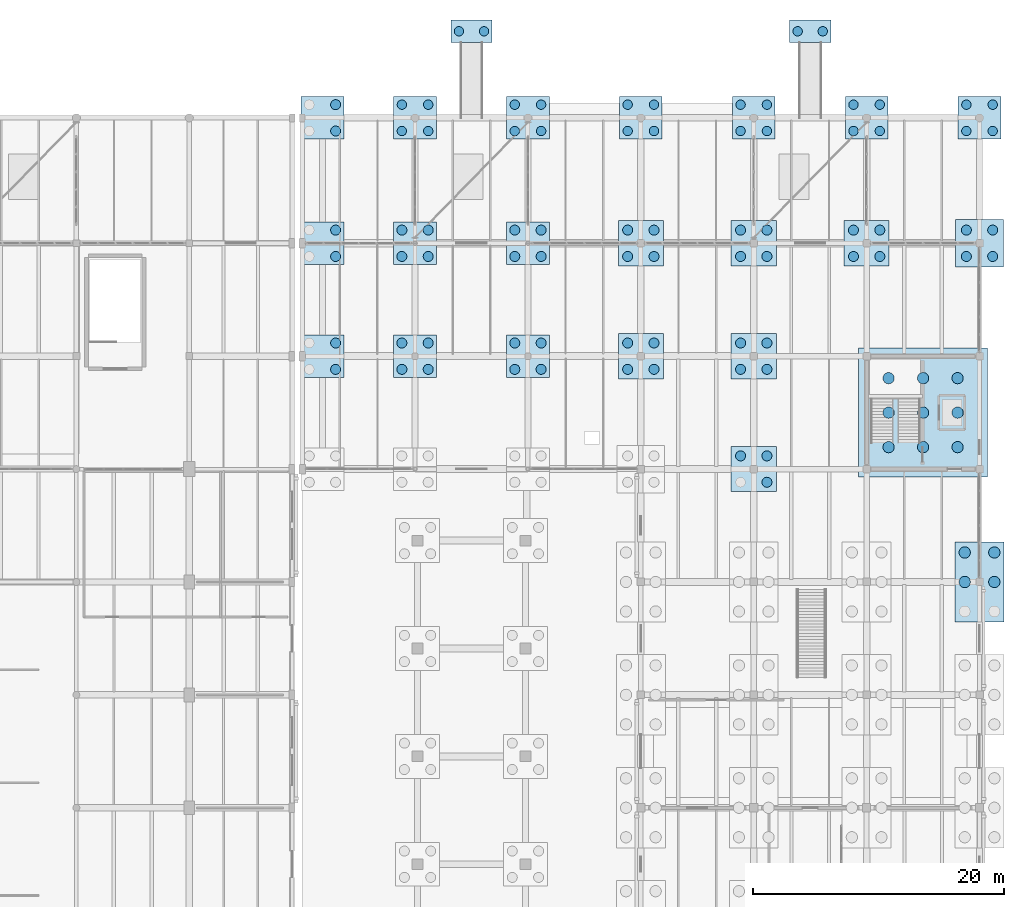
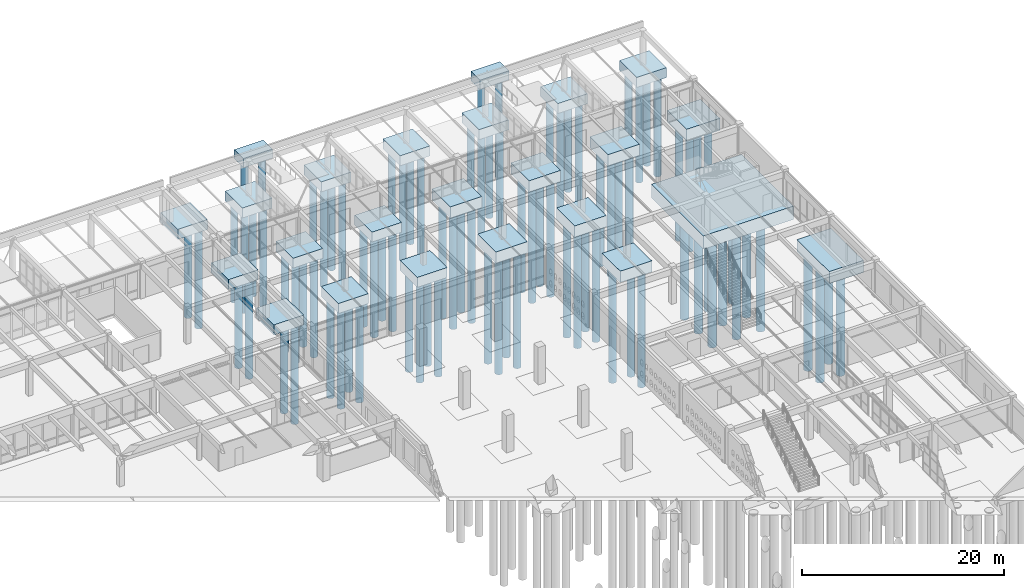
# One storey, part 6 of 186: 90 piles, 24 footings.
"""IFC4 building model written with IfcOpenShell, lengths in metres."""

from ifc_helpers import new_model, si_unit, direction, frame, origin, origin_2d, place, context, subcontext, project, spatial, polyline, circle, outline, extrude, material, layer, layer_set, material_profile, profile_set, type_object, element, save


model = new_model("IFC4")

# Units and contexts
model_context = context("Model", 3, precision=1e-05, world=origin(), true_north=direction((0.0, 1.0)))
body_context = subcontext(model_context, "Body", "Model", "MODEL_VIEW")
ifc_project = project(units=[si_unit("LENGTHUNIT", "METRE"), si_unit("AREAUNIT", "SQUARE_METRE"), si_unit("VOLUMEUNIT", "CUBIC_METRE"), si_unit("PLANEANGLEUNIT", "RADIAN"), si_unit("MASSUNIT", "GRAM", prefix="KILO")], contexts=[model_context])

# Site, building, storey
site_placement = place(None, origin())
site = spatial("IfcSite", under=ifc_project, at=site_placement, CompositionType="ELEMENT")
building_placement = place(site_placement, origin())
building = spatial("IfcBuilding", under=site, at=building_placement, Name="Ornek Quay Market", CompositionType="ELEMENT")
storey_placement = place(building_placement, origin())
storey = spatial("IfcBuildingStorey", under=building, at=storey_placement, Name="L00", CompositionType="ELEMENT", Elevation=0.0)

# Footings
ifc_material = material(Name="Concrete C35/45", Category="concrete")
ifc_layer_1 = layer(ifc_material, 1.60009765625, Name="Concrete C35/45", Category="concrete")
ifc_layer_set_1 = layer_set([ifc_layer_1], Name="Concrete C35/45")
footing_type_1 = type_object("IfcFootingType", Name="FT-CORE-7600x6600x1600", PredefinedType="PILE_CAP", material=ifc_layer_set_1)
footing_1_placement = place(storey_placement, frame((0.0, 0.0, -1.60009765625)))
element("IfcFooting", 1, at=footing_1_placement, inside=storey, type_object=footing_type_1, Name="Pile cap FC-005", PredefinedType="PILE_CAP", context=body_context, shape_type="SweptSolid", body=[
    extrude(outline(polyline([(170.35009765625, 91.35009765625), (180.64990234375, 91.35009765625), (180.64990234375, 101.64990234375), (170.35009765625, 101.64990234375), (170.35009765625, 91.35009765625)])), origin(), (0.0, 0.0, 1.0), 1.60009765625),
])
ifc_layer_2 = layer(ifc_material, 1.10009765625, Name="Concrete C35/45", Category="concrete")
ifc_layer_set_2 = layer_set([ifc_layer_2], Name="Concrete C35/45")
footing_type_2 = type_object("IfcFootingType", Name="FT-PC2-3300x1800x1100", PredefinedType="PILE_CAP", material=ifc_layer_set_2)
footing_2_placement = place(storey_placement, frame((0.0, 0.0, -1.39990234375)))
element("IfcFooting", 2, at=footing_2_placement, inside=storey, type_object=footing_type_2, Name="Ramp abutment cap PRF-04", PredefinedType="PILE_CAP", context=body_context, shape_type="SweptSolid", body=[
    extrude(outline(polyline([(137.85009765625, 126.0), (141.14990234375, 126.0), (141.14990234375, 127.800048828125), (137.85009765625, 127.800048828125), (137.85009765625, 126.0)])), origin(), (0.0, 0.0, 1.0), 1.099853515625),
])
footing_3_placement = place(storey_placement, frame((0.0, 0.0, -1.39990234375)))
element("IfcFooting", 3, at=footing_3_placement, inside=storey, type_object=footing_type_2, Name="Ramp abutment cap PRF-05", PredefinedType="PILE_CAP", context=body_context, shape_type="SweptSolid", body=[
    extrude(outline(polyline([(164.85009765625, 126.0), (168.14990234375, 126.0), (168.14990234375, 127.800048828125), (164.85009765625, 127.800048828125), (164.85009765625, 126.0)])), origin(), (0.0, 0.0, 1.0), 1.099853515625),
])
ifc_layer_3 = layer(ifc_material, 1.199951171875, Name="Concrete C35/45", Category="concrete")
ifc_layer_set_3 = layer_set([ifc_layer_3], Name="Concrete C35/45")
footing_type_3 = type_object("IfcFootingType", Name="FT-PC4-2800x2800x1200", PredefinedType="PILE_CAP", material=ifc_layer_set_3)
footing_4_placement = place(storey_placement, frame((0.0, 0.0, -1.199951171875)))
element("IfcFooting", 4, at=footing_4_placement, inside=storey, type_object=footing_type_3, Name="Pile cap FC-177", PredefinedType="PILE_CAP", context=body_context, shape_type="SweptSolid", body=[
    extrude(outline(polyline([(125.919921875, 99.300048828125), (129.320068359375, 99.300048828125), (129.320068359375, 102.699951171875), (125.919921875, 102.699951171875), (125.919921875, 99.300048828125)])), origin(), (0.0, 0.0, 1.0), 1.199951171875),
])
footing_5_placement = place(storey_placement, frame((0.0, 0.0, -1.199951171875)))
element("IfcFooting", 5, at=footing_5_placement, inside=storey, type_object=footing_type_3, Name="Pile cap FC-178", PredefinedType="PILE_CAP", context=body_context, shape_type="SweptSolid", body=[
    extrude(outline(polyline([(125.919921875, 108.300048828125), (129.320068359375, 108.300048828125), (129.320068359375, 111.699951171875), (125.919921875, 111.699951171875), (125.919921875, 108.300048828125)])), origin(), (0.0, 0.0, 1.0), 1.199951171875),
])
footing_6_placement = place(storey_placement, frame((0.0, 0.0, -1.199951171875)))
element("IfcFooting", 6, at=footing_6_placement, inside=storey, type_object=footing_type_3, Name="Pile cap FC-179", PredefinedType="PILE_CAP", context=body_context, shape_type="SweptSolid", body=[
    extrude(outline(polyline([(125.919921875, 118.300048828125), (129.320068359375, 118.300048828125), (129.320068359375, 121.699951171875), (125.919921875, 121.699951171875), (125.919921875, 118.300048828125)])), origin(), (0.0, 0.0, 1.0), 1.199951171875),
])
footing_7_placement = place(storey_placement, frame((0.0, 0.0, -1.199951171875)))
element("IfcFooting", 7, at=footing_7_placement, inside=storey, type_object=footing_type_3, Name="Pile cap FC-183", PredefinedType="PILE_CAP", context=body_context, shape_type="SweptSolid", body=[
    extrude(outline(polyline([(133.300048828125, 99.300048828125), (136.699951171875, 99.300048828125), (136.699951171875, 102.699951171875), (133.300048828125, 102.699951171875), (133.300048828125, 99.300048828125)])), origin(), (0.0, 0.0, 1.0), 1.199951171875),
])
footing_8_placement = place(storey_placement, frame((0.0, 0.0, -1.199951171875)))
element("IfcFooting", 8, at=footing_8_placement, inside=storey, type_object=footing_type_3, Name="Pile cap FC-184", PredefinedType="PILE_CAP", context=body_context, shape_type="SweptSolid", body=[
    extrude(outline(polyline([(133.300048828125, 108.300048828125), (136.699951171875, 108.300048828125), (136.699951171875, 111.699951171875), (133.300048828125, 111.699951171875), (133.300048828125, 108.300048828125)])), origin(), (0.0, 0.0, 1.0), 1.199951171875),
])
footing_9_placement = place(storey_placement, frame((0.0, 0.0, -1.199951171875)))
element("IfcFooting", 9, at=footing_9_placement, inside=storey, type_object=footing_type_3, Name="Pile cap FC-185", PredefinedType="PILE_CAP", context=body_context, shape_type="SweptSolid", body=[
    extrude(outline(polyline([(133.300048828125, 118.300048828125), (136.699951171875, 118.300048828125), (136.699951171875, 121.699951171875), (133.300048828125, 121.699951171875), (133.300048828125, 118.300048828125)])), origin(), (0.0, 0.0, 1.0), 1.199951171875),
])
footing_10_placement = place(storey_placement, frame((0.0, 0.0, -1.199951171875)))
element("IfcFooting", 10, at=footing_10_placement, inside=storey, type_object=footing_type_3, Name="Pile cap FC-189", PredefinedType="PILE_CAP", context=body_context, shape_type="SweptSolid", body=[
    extrude(outline(polyline([(142.300048828125, 99.300048828125), (145.699951171875, 99.300048828125), (145.699951171875, 102.699951171875), (142.300048828125, 102.699951171875), (142.300048828125, 99.300048828125)])), origin(), (0.0, 0.0, 1.0), 1.199951171875),
])
footing_11_placement = place(storey_placement, frame((0.0, 0.0, -1.199951171875)))
element("IfcFooting", 11, at=footing_11_placement, inside=storey, type_object=footing_type_3, Name="Pile cap FC-190", PredefinedType="PILE_CAP", context=body_context, shape_type="SweptSolid", body=[
    extrude(outline(polyline([(142.300048828125, 108.300048828125), (145.699951171875, 108.300048828125), (145.699951171875, 111.699951171875), (142.300048828125, 111.699951171875), (142.300048828125, 108.300048828125)])), origin(), (0.0, 0.0, 1.0), 1.199951171875),
])
footing_12_placement = place(storey_placement, frame((0.0, 0.0, -1.199951171875)))
element("IfcFooting", 12, at=footing_12_placement, inside=storey, type_object=footing_type_3, Name="Pile cap FC-191", PredefinedType="PILE_CAP", context=body_context, shape_type="SweptSolid", body=[
    extrude(outline(polyline([(142.300048828125, 118.300048828125), (145.699951171875, 118.300048828125), (145.699951171875, 121.699951171875), (142.300048828125, 121.699951171875), (142.300048828125, 118.300048828125)])), origin(), (0.0, 0.0, 1.0), 1.199951171875),
])
footing_13_placement = place(storey_placement, frame((0.0, 0.0, -1.199951171875)))
element("IfcFooting", 13, at=footing_13_placement, inside=storey, type_object=footing_type_3, Name="Pile cap FC-204", PredefinedType="PILE_CAP", context=body_context, shape_type="SweptSolid", body=[
    extrude(outline(polyline([(151.300048828125, 118.300048828125), (154.699951171875, 118.300048828125), (154.699951171875, 121.699951171875), (151.300048828125, 121.699951171875), (151.300048828125, 118.300048828125)])), origin(), (0.0, 0.0, 1.0), 1.199951171875),
])
footing_14_placement = place(storey_placement, frame((0.0, 0.0, -1.199951171875)))
element("IfcFooting", 14, at=footing_14_placement, inside=storey, type_object=footing_type_3, Name="Pile cap FC-217", PredefinedType="PILE_CAP", context=body_context, shape_type="SweptSolid", body=[
    extrude(outline(polyline([(160.300048828125, 118.300048828125), (163.699951171875, 118.300048828125), (163.699951171875, 121.699951171875), (160.300048828125, 121.699951171875), (160.300048828125, 118.300048828125)])), origin(), (0.0, 0.0, 1.0), 1.199951171875),
])
footing_15_placement = place(storey_placement, frame((0.0, 0.0, -1.199951171875)))
element("IfcFooting", 15, at=footing_15_placement, inside=storey, type_object=footing_type_3, Name="Pile cap FC-226", PredefinedType="PILE_CAP", context=body_context, shape_type="SweptSolid", body=[
    extrude(outline(polyline([(169.300048828125, 118.300048828125), (172.699951171875, 118.300048828125), (172.699951171875, 121.699951171875), (169.300048828125, 121.699951171875), (169.300048828125, 118.300048828125)])), origin(), (0.0, 0.0, 1.0), 1.199951171875),
])
footing_16_placement = place(storey_placement, frame((0.0, 0.0, -1.199951171875)))
element("IfcFooting", 16, at=footing_16_placement, inside=storey, type_object=footing_type_3, Name="Pile cap FC-235", PredefinedType="PILE_CAP", context=body_context, shape_type="SweptSolid", body=[
    extrude(outline(polyline([(178.300048828125, 118.300048828125), (181.699951171875, 118.300048828125), (181.699951171875, 121.699951171875), (178.300048828125, 121.699951171875), (178.300048828125, 118.300048828125)])), origin(), (0.0, 0.0, 1.0), 1.199951171875),
])
ifc_layer_4 = layer(ifc_material, 1.35009765625, Name="Concrete C35/45", Category="concrete")
ifc_layer_set_4 = layer_set([ifc_layer_4], Name="Concrete C35/45")
footing_type_4 = type_object("IfcFootingType", Name="FT-PC4-3200x3200x1350", PredefinedType="PILE_CAP", material=ifc_layer_set_4)
footing_17_placement = place(storey_placement, frame((0.0, 0.0, -1.35009765625)))
element("IfcFooting", 17, at=footing_17_placement, inside=storey, type_object=footing_type_4, Name="Pile cap FC-202", PredefinedType="PILE_CAP", context=body_context, shape_type="SweptSolid", body=[
    extrude(outline(polyline([(151.199951171875, 99.199951171875), (154.800048828125, 99.199951171875), (154.800048828125, 102.800048828125), (151.199951171875, 102.800048828125), (151.199951171875, 99.199951171875)])), origin(), (0.0, 0.0, 1.0), 1.35009765625),
])
footing_18_placement = place(storey_placement, frame((0.0, 0.0, -1.35009765625)))
element("IfcFooting", 18, at=footing_18_placement, inside=storey, type_object=footing_type_4, Name="Pile cap FC-203", PredefinedType="PILE_CAP", context=body_context, shape_type="SweptSolid", body=[
    extrude(outline(polyline([(151.199951171875, 108.199951171875), (154.800048828125, 108.199951171875), (154.800048828125, 111.800048828125), (151.199951171875, 111.800048828125), (151.199951171875, 108.199951171875)])), origin(), (0.0, 0.0, 1.0), 1.35009765625),
])
footing_19_placement = place(storey_placement, frame((0.0, 0.0, -1.35009765625)))
element("IfcFooting", 19, at=footing_19_placement, inside=storey, type_object=footing_type_4, Name="Pile cap FC-214", PredefinedType="PILE_CAP", context=body_context, shape_type="SweptSolid", body=[
    extrude(outline(polyline([(160.199951171875, 90.199951171875), (163.800048828125, 90.199951171875), (163.800048828125, 93.800048828125), (160.199951171875, 93.800048828125), (160.199951171875, 90.199951171875)])), origin(), (0.0, 0.0, 1.0), 1.35009765625),
])
footing_20_placement = place(storey_placement, frame((0.0, 0.0, -1.35009765625)))
element("IfcFooting", 20, at=footing_20_placement, inside=storey, type_object=footing_type_4, Name="Pile cap FC-215", PredefinedType="PILE_CAP", context=body_context, shape_type="SweptSolid", body=[
    extrude(outline(polyline([(160.199951171875, 99.199951171875), (163.800048828125, 99.199951171875), (163.800048828125, 102.800048828125), (160.199951171875, 102.800048828125), (160.199951171875, 99.199951171875)])), origin(), (0.0, 0.0, 1.0), 1.35009765625),
])
footing_21_placement = place(storey_placement, frame((0.0, 0.0, -1.35009765625)))
element("IfcFooting", 21, at=footing_21_placement, inside=storey, type_object=footing_type_4, Name="Pile cap FC-216", PredefinedType="PILE_CAP", context=body_context, shape_type="SweptSolid", body=[
    extrude(outline(polyline([(160.199951171875, 108.199951171875), (163.800048828125, 108.199951171875), (163.800048828125, 111.800048828125), (160.199951171875, 111.800048828125), (160.199951171875, 108.199951171875)])), origin(), (0.0, 0.0, 1.0), 1.35009765625),
])
footing_22_placement = place(storey_placement, frame((0.0, 0.0, -1.35009765625)))
element("IfcFooting", 22, at=footing_22_placement, inside=storey, type_object=footing_type_4, Name="Pile cap FC-225", PredefinedType="PILE_CAP", context=body_context, shape_type="SweptSolid", body=[
    extrude(outline(polyline([(169.199951171875, 108.199951171875), (172.800048828125, 108.199951171875), (172.800048828125, 111.800048828125), (169.199951171875, 111.800048828125), (169.199951171875, 108.199951171875)])), origin(), (0.0, 0.0, 1.0), 1.35009765625),
])
ifc_layer_5 = layer(ifc_material, 1.449951171875, Name="Concrete C35/45", Category="concrete")
ifc_layer_set_5 = layer_set([ifc_layer_5], Name="Concrete C35/45")
footing_type_5 = type_object("IfcFootingType", Name="FT-PC6-3200x4600x1450", PredefinedType="PILE_CAP", material=ifc_layer_set_5)
footing_23_placement = place(storey_placement, frame((0.0, 0.0, -1.449951171875)))
element("IfcFooting", 23, at=footing_23_placement, inside=storey, type_object=footing_type_5, Name="Pile cap FC-233", PredefinedType="PILE_CAP", context=body_context, shape_type="SweptSolid", body=[
    extrude(outline(polyline([(178.050048828125, 79.800048828125), (181.949951171875, 79.800048828125), (181.949951171875, 86.199951171875), (178.050048828125, 86.199951171875), (178.050048828125, 79.800048828125)])), origin(), (0.0, 0.0, 1.0), 1.449951171875),
])
ifc_layer_6 = layer(ifc_material, 1.449951171875, Name="Concrete C35/45", Category="concrete")
ifc_layer_set_6 = layer_set([ifc_layer_6], Name="Concrete C35/45")
footing_type_6 = type_object("IfcFootingType", Name="FT-PC6-4600x3200x1450", PredefinedType="PILE_CAP", material=ifc_layer_set_6)
footing_24_placement = place(storey_placement, frame((0.0, 0.0, -1.449951171875)))
element("IfcFooting", 24, at=footing_24_placement, inside=storey, type_object=footing_type_6, Name="Pile cap FC-234", PredefinedType="PILE_CAP", context=body_context, shape_type="SweptSolid", body=[
    extrude(outline(polyline([(178.10009765625, 108.10009765625), (181.89990234375, 108.10009765625), (181.89990234375, 111.89990234375), (178.10009765625, 111.89990234375), (178.10009765625, 108.10009765625)])), origin(), (0.0, 0.0, 1.0), 1.449951171875),
])

# Piles
ifc_material_profile_1 = material_profile(ifc_material, circle(Radius=0.39990234375, at=origin_2d()), Name="PILE D800", Category="concrete")
ifc_profile_set_1 = profile_set([ifc_material_profile_1], Name="Concrete C35/45")
pile_type_1 = type_object("IfcPileType", Name="PL-BOR-D800-L12", PredefinedType="BORED", material=ifc_profile_set_1)
for number, where, z_axis, x_axis, name in (
    (25, (128.669921875, 99.949951171875, -1.10009765625), (0.0, 0.0, -1.0), (1.0, 0.0, 0.0), "Bored pile P-0776"),
    (26, (128.669921875, 102.050048828125, -1.10009765625), (0.0, 0.0, -1.0), (1.0, 0.0, 0.0), "Bored pile P-0778"),
    (27, (128.669921875, 108.949951171875, -1.10009765625), (0.0, 0.0, -1.0), (1.0, 0.0, 0.0), "Bored pile P-0780"),
    (28, (128.669921875, 111.050048828125, -1.10009765625), (0.0, 0.0, -1.0), (1.0, 0.0, 0.0), "Bored pile P-0782"),
    (29, (128.669921875, 118.949951171875, -1.10009765625), (0.0, 0.0, -1.0), (1.0, 0.0, 0.0), "Bored pile P-0784"),
    (30, (128.669921875, 121.050048828125, -1.10009765625), (0.0, 0.0, -1.0), (1.0, 0.0, 0.0), "Bored pile P-0786"),
    (31, (133.949951171875, 99.949951171875, -1.10009765625), (0.0, 0.0, -1.0), (1.0, 0.0, 0.0), "Bored pile P-0799"),
    (32, (136.050048828125, 99.949951171875, -1.10009765625), (0.0, 0.0, -1.0), (1.0, 0.0, 0.0), "Bored pile P-0800"),
    (33, (133.949951171875, 102.050048828125, -1.10009765625), (0.0, 0.0, -1.0), (1.0, 0.0, 0.0), "Bored pile P-0801"),
    (34, (136.050048828125, 102.050048828125, -1.10009765625), (0.0, 0.0, -1.0), (1.0, 0.0, 0.0), "Bored pile P-0802"),
    (35, (133.949951171875, 108.949951171875, -1.10009765625), (0.0, 0.0, -1.0), (1.0, 0.0, 0.0), "Bored pile P-0803"),
    (36, (136.050048828125, 108.949951171875, -1.10009765625), (0.0, 0.0, -1.0), (1.0, 0.0, 0.0), "Bored pile P-0804"),
    (37, (133.949951171875, 111.050048828125, -1.10009765625), (0.0, 0.0, -1.0), (1.0, 0.0, 0.0), "Bored pile P-0805"),
    (38, (136.050048828125, 111.050048828125, -1.10009765625), (0.0, 0.0, -1.0), (1.0, 0.0, 0.0), "Bored pile P-0806"),
    (39, (142.949951171875, 99.949951171875, -1.10009765625), (0.0, 0.0, -1.0), (1.0, 0.0, 0.0), "Bored pile P-0823"),
    (40, (145.050048828125, 99.949951171875, -1.10009765625), (0.0, 0.0, -1.0), (1.0, 0.0, 0.0), "Bored pile P-0824"),
    (41, (142.949951171875, 102.050048828125, -1.10009765625), (0.0, 0.0, -1.0), (1.0, 0.0, 0.0), "Bored pile P-0825"),
    (42, (145.050048828125, 102.050048828125, -1.10009765625), (0.0, 0.0, -1.0), (1.0, 0.0, 0.0), "Bored pile P-0826"),
    (43, (142.949951171875, 108.949951171875, -1.10009765625), (0.0, 0.0, -1.0), (1.0, 0.0, 0.0), "Bored pile P-0827"),
    (44, (145.050048828125, 108.949951171875, -1.10009765625), (0.0, 0.0, -1.0), (1.0, 0.0, 0.0), "Bored pile P-0828"),
    (45, (142.949951171875, 111.050048828125, -1.10009765625), (0.0, 0.0, -1.0), (1.0, 0.0, 0.0), "Bored pile P-0829"),
    (46, (145.050048828125, 111.050048828125, -1.10009765625), (0.0, 0.0, -1.0), (1.0, 0.0, 0.0), "Bored pile P-0830"),
):
    element("IfcPile", number, at=place(storey_placement, frame(where, z_axis=z_axis, x_axis=x_axis)), inside=storey, type_object=pile_type_1, Name=name, PredefinedType="BORED", context=body_context, shape_type="SweptSolid", body=[
        extrude(circle(Radius=0.39990234375, at=origin_2d()), origin(), (0.0, 0.0, 1.0), 12.0),
    ])
ifc_material_profile_2 = material_profile(ifc_material, circle(Radius=0.39990234375, at=origin_2d()), Name="PILE D800", Category="concrete")
ifc_profile_set_2 = profile_set([ifc_material_profile_2], Name="Concrete C35/45")
pile_type_2 = type_object("IfcPileType", Name="PL-BOR-D800-L14", PredefinedType="BORED", material=ifc_profile_set_2)
for number, where, z_axis, x_axis, name in (
    (47, (151.949951171875, 99.949951171875, -1.25), (0.0, 0.0, -1.0), (1.0, 0.0, 0.0), "Bored pile P-0893"),
    (48, (154.050048828125, 99.949951171875, -1.25), (0.0, 0.0, -1.0), (1.0, 0.0, 0.0), "Bored pile P-0894"),
    (49, (151.949951171875, 102.050048828125, -1.25), (0.0, 0.0, -1.0), (1.0, 0.0, 0.0), "Bored pile P-0895"),
    (50, (154.050048828125, 102.050048828125, -1.25), (0.0, 0.0, -1.0), (1.0, 0.0, 0.0), "Bored pile P-0896"),
    (51, (151.949951171875, 108.949951171875, -1.25), (0.0, 0.0, -1.0), (1.0, 0.0, 0.0), "Bored pile P-0897"),
    (52, (154.050048828125, 108.949951171875, -1.25), (0.0, 0.0, -1.0), (1.0, 0.0, 0.0), "Bored pile P-0898"),
    (53, (151.949951171875, 111.050048828125, -1.25), (0.0, 0.0, -1.0), (1.0, 0.0, 0.0), "Bored pile P-0899"),
    (54, (154.050048828125, 111.050048828125, -1.25), (0.0, 0.0, -1.0), (1.0, 0.0, 0.0), "Bored pile P-0900"),
    (55, (163.050048828125, 90.949951171875, -1.25), (0.0, 0.0, -1.0), (1.0, 0.0, 0.0), "Bored pile P-0960"),
    (56, (160.949951171875, 93.050048828125, -1.25), (0.0, 0.0, -1.0), (1.0, 0.0, 0.0), "Bored pile P-0961"),
    (57, (163.050048828125, 93.050048828125, -1.25), (0.0, 0.0, -1.0), (1.0, 0.0, 0.0), "Bored pile P-0962"),
    (58, (160.949951171875, 99.949951171875, -1.25), (0.0, 0.0, -1.0), (1.0, 0.0, 0.0), "Bored pile P-0963"),
    (59, (163.050048828125, 99.949951171875, -1.25), (0.0, 0.0, -1.0), (1.0, 0.0, 0.0), "Bored pile P-0964"),
    (60, (160.949951171875, 102.050048828125, -1.25), (0.0, 0.0, -1.0), (1.0, 0.0, 0.0), "Bored pile P-0965"),
    (61, (163.050048828125, 102.050048828125, -1.25), (0.0, 0.0, -1.0), (1.0, 0.0, 0.0), "Bored pile P-0966"),
    (62, (160.949951171875, 108.949951171875, -1.25), (0.0, 0.0, -1.0), (1.0, 0.0, 0.0), "Bored pile P-0967"),
    (63, (163.050048828125, 108.949951171875, -1.25), (0.0, 0.0, -1.0), (1.0, 0.0, 0.0), "Bored pile P-0968"),
    (64, (160.949951171875, 111.050048828125, -1.25), (0.0, 0.0, -1.0), (1.0, 0.0, 0.0), "Bored pile P-0969"),
    (65, (163.050048828125, 111.050048828125, -1.25), (0.0, 0.0, -1.0), (1.0, 0.0, 0.0), "Bored pile P-0970"),
    (66, (169.949951171875, 108.949951171875, -1.25), (0.0, 0.0, -1.0), (1.0, 0.0, 0.0), "Bored pile P-1017"),
    (67, (172.050048828125, 108.949951171875, -1.25), (0.0, 0.0, -1.0), (1.0, 0.0, 0.0), "Bored pile P-1018"),
    (68, (169.949951171875, 111.050048828125, -1.25), (0.0, 0.0, -1.0), (1.0, 0.0, 0.0), "Bored pile P-1019"),
    (69, (172.050048828125, 111.050048828125, -1.25), (0.0, 0.0, -1.0), (1.0, 0.0, 0.0), "Bored pile P-1020"),
    (70, (178.949951171875, 108.949951171875, -1.35009765625), (0.0, 0.0, -1.0), (1.0, 0.0, 0.0), "Bored pile P-1067"),
    (71, (181.050048828125, 108.949951171875, -1.35009765625), (0.0, 0.0, -1.0), (1.0, 0.0, 0.0), "Bored pile P-1068"),
    (72, (178.949951171875, 111.050048828125, -1.35009765625), (0.0, 0.0, -1.0), (1.0, 0.0, 0.0), "Bored pile P-1069"),
    (73, (181.050048828125, 111.050048828125, -1.35009765625), (0.0, 0.0, -1.0), (1.0, 0.0, 0.0), "Bored pile P-1070"),
):
    element("IfcPile", number, at=place(storey_placement, frame(where, z_axis=z_axis, x_axis=x_axis)), inside=storey, type_object=pile_type_2, Name=name, PredefinedType="BORED", context=body_context, shape_type="SweptSolid", body=[
        extrude(circle(Radius=0.39990234375, at=origin_2d()), origin(), (0.0, 0.0, 1.0), 14.0),
    ])
ifc_material_profile_3 = material_profile(ifc_material, circle(Radius=0.449951171875, at=origin_2d()), Name="PILE D900", Category="concrete")
ifc_profile_set_3 = profile_set([ifc_material_profile_3], Name="Concrete C35/45")
pile_type_3 = type_object("IfcPileType", Name="PL-BOR-D900-L14", PredefinedType="BORED", material=ifc_profile_set_3)
for number, where, z_axis, x_axis, name in (
    (74, (172.75, 93.75, -1.5), (0.0, 0.0, -1.0), (1.0, 0.0, 0.0), "Bored pile P-0037"),
    (75, (172.75, 96.5, -1.5), (0.0, 0.0, -1.0), (1.0, 0.0, 0.0), "Bored pile P-0038"),
    (76, (172.75, 99.25, -1.5), (0.0, 0.0, -1.0), (1.0, 0.0, 0.0), "Bored pile P-0039"),
    (77, (175.5, 93.75, -1.5), (0.0, 0.0, -1.0), (1.0, 0.0, 0.0), "Bored pile P-0040"),
    (78, (175.5, 96.5, -1.5), (0.0, 0.0, -1.0), (1.0, 0.0, 0.0), "Bored pile P-0041"),
    (79, (175.5, 99.25, -1.5), (0.0, 0.0, -1.0), (1.0, 0.0, 0.0), "Bored pile P-0042"),
    (80, (178.25, 93.75, -1.5), (0.0, 0.0, -1.0), (1.0, 0.0, 0.0), "Bored pile P-0043"),
    (81, (178.25, 96.5, -1.5), (0.0, 0.0, -1.0), (1.0, 0.0, 0.0), "Bored pile P-0044"),
    (82, (178.25, 99.25, -1.5), (0.0, 0.0, -1.0), (1.0, 0.0, 0.0), "Bored pile P-0045"),
    (83, (178.820068359375, 83.0, -1.35009765625), (0.0, 0.0, -1.0), (1.0, 0.0, 0.0), "Bored pile P-1063"),
    (84, (181.179931640625, 83.0, -1.35009765625), (0.0, 0.0, -1.0), (1.0, 0.0, 0.0), "Bored pile P-1064"),
    (85, (178.820068359375, 85.35009765625, -1.35009765625), (0.0, 0.0, -1.0), (1.0, 0.0, 0.0), "Bored pile P-1065"),
    (86, (181.179931640625, 85.35009765625, -1.35009765625), (0.0, 0.0, -1.0), (1.0, 0.0, 0.0), "Bored pile P-1066"),
):
    element("IfcPile", number, at=place(storey_placement, frame(where, z_axis=z_axis, x_axis=x_axis)), inside=storey, type_object=pile_type_3, Name=name, PredefinedType="BORED", context=body_context, shape_type="SweptSolid", body=[
        extrude(circle(Radius=0.449951171875, at=origin_2d()), origin(), (0.0, 0.0, 1.0), 14.0),
    ])
ifc_material_profile_4 = material_profile(ifc_material, circle(Radius=0.375, at=origin_2d()), Name="PILE D750", Category="concrete")
ifc_profile_set_4 = profile_set([ifc_material_profile_4], Name="Concrete C35/45")
pile_type_4 = type_object("IfcPileType", Name="PL-SUP-D750-L12", PredefinedType="SUPPORT", material=ifc_profile_set_4)
for number, where, z_axis, x_axis, name in (
    (87, (133.949951171875, 118.949951171875, -1.10009765625), (0.0, 0.0, -1.0), (1.0, 0.0, 0.0), "Bored pile P-0807"),
    (88, (136.050048828125, 118.949951171875, -1.10009765625), (0.0, 0.0, -1.0), (1.0, 0.0, 0.0), "Bored pile P-0808"),
    (89, (133.949951171875, 121.050048828125, -1.10009765625), (0.0, 0.0, -1.0), (1.0, 0.0, 0.0), "Bored pile P-0809"),
    (90, (136.050048828125, 121.050048828125, -1.10009765625), (0.0, 0.0, -1.0), (1.0, 0.0, 0.0), "Bored pile P-0810"),
    (91, (142.949951171875, 118.949951171875, -1.10009765625), (0.0, 0.0, -1.0), (1.0, 0.0, 0.0), "Bored pile P-0831"),
    (92, (145.050048828125, 118.949951171875, -1.10009765625), (0.0, 0.0, -1.0), (1.0, 0.0, 0.0), "Bored pile P-0832"),
    (93, (142.949951171875, 121.050048828125, -1.10009765625), (0.0, 0.0, -1.0), (1.0, 0.0, 0.0), "Bored pile P-0833"),
    (94, (145.050048828125, 121.050048828125, -1.10009765625), (0.0, 0.0, -1.0), (1.0, 0.0, 0.0), "Bored pile P-0834"),
    (95, (151.949951171875, 118.949951171875, -1.10009765625), (0.0, 0.0, -1.0), (1.0, 0.0, 0.0), "Bored pile P-0901"),
    (96, (154.050048828125, 118.949951171875, -1.10009765625), (0.0, 0.0, -1.0), (1.0, 0.0, 0.0), "Bored pile P-0902"),
    (97, (151.949951171875, 121.050048828125, -1.10009765625), (0.0, 0.0, -1.0), (1.0, 0.0, 0.0), "Bored pile P-0903"),
    (98, (154.050048828125, 121.050048828125, -1.10009765625), (0.0, 0.0, -1.0), (1.0, 0.0, 0.0), "Bored pile P-0904"),
    (99, (160.949951171875, 118.949951171875, -1.10009765625), (0.0, 0.0, -1.0), (1.0, 0.0, 0.0), "Bored pile P-0971"),
    (100, (163.050048828125, 118.949951171875, -1.10009765625), (0.0, 0.0, -1.0), (1.0, 0.0, 0.0), "Bored pile P-0972"),
    (101, (160.949951171875, 121.050048828125, -1.10009765625), (0.0, 0.0, -1.0), (1.0, 0.0, 0.0), "Bored pile P-0973"),
    (102, (163.050048828125, 121.050048828125, -1.10009765625), (0.0, 0.0, -1.0), (1.0, 0.0, 0.0), "Bored pile P-0974"),
    (103, (169.949951171875, 118.949951171875, -1.10009765625), (0.0, 0.0, -1.0), (1.0, 0.0, 0.0), "Bored pile P-1021"),
    (104, (172.050048828125, 118.949951171875, -1.10009765625), (0.0, 0.0, -1.0), (1.0, 0.0, 0.0), "Bored pile P-1022"),
    (105, (169.949951171875, 121.050048828125, -1.10009765625), (0.0, 0.0, -1.0), (1.0, 0.0, 0.0), "Bored pile P-1023"),
    (106, (172.050048828125, 121.050048828125, -1.10009765625), (0.0, 0.0, -1.0), (1.0, 0.0, 0.0), "Bored pile P-1024"),
    (107, (178.949951171875, 118.949951171875, -1.10009765625), (0.0, 0.0, -1.0), (1.0, 0.0, 0.0), "Bored pile P-1071"),
    (108, (181.050048828125, 118.949951171875, -1.10009765625), (0.0, 0.0, -1.0), (1.0, 0.0, 0.0), "Bored pile P-1072"),
    (109, (178.949951171875, 121.050048828125, -1.10009765625), (0.0, 0.0, -1.0), (1.0, 0.0, 0.0), "Bored pile P-1073"),
    (110, (181.050048828125, 121.050048828125, -1.10009765625), (0.0, 0.0, -1.0), (1.0, 0.0, 0.0), "Bored pile P-1074"),
    (111, (138.5, 126.89990234375, -1.300048828125), (0.0, 0.0, -1.0), (1.0, 0.0, 0.0), "Bored pile P-1193"),
    (112, (140.5, 126.89990234375, -1.300048828125), (0.0, 0.0, -1.0), (1.0, 0.0, 0.0), "Bored pile P-1194"),
    (113, (165.5, 126.89990234375, -1.300048828125), (0.0, 0.0, -1.0), (1.0, 0.0, 0.0), "Bored pile P-1195"),
    (114, (167.5, 126.89990234375, -1.300048828125), (0.0, 0.0, -1.0), (1.0, 0.0, 0.0), "Bored pile P-1196"),
):
    element("IfcPile", number, at=place(storey_placement, frame(where, z_axis=z_axis, x_axis=x_axis)), inside=storey, type_object=pile_type_4, Name=name, PredefinedType="SUPPORT", context=body_context, shape_type="SweptSolid", body=[
        extrude(circle(Radius=0.375, at=origin_2d()), origin(), (0.0, 0.0, 1.0), 12.0),
    ])

save(model, "model.ifc")
